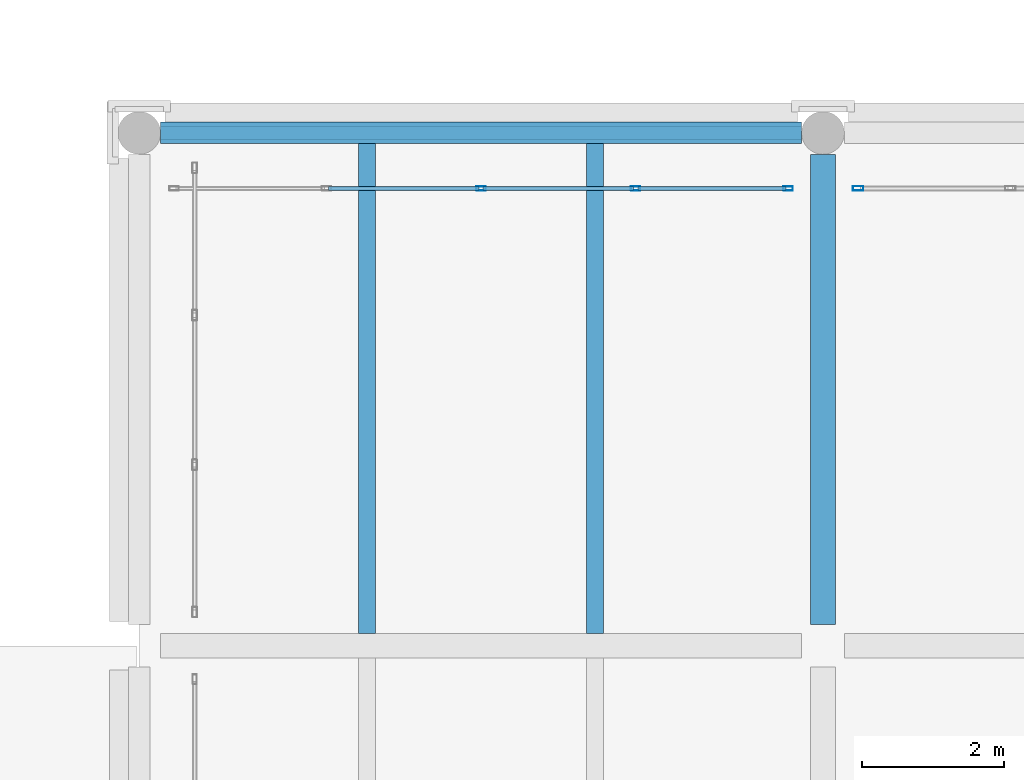
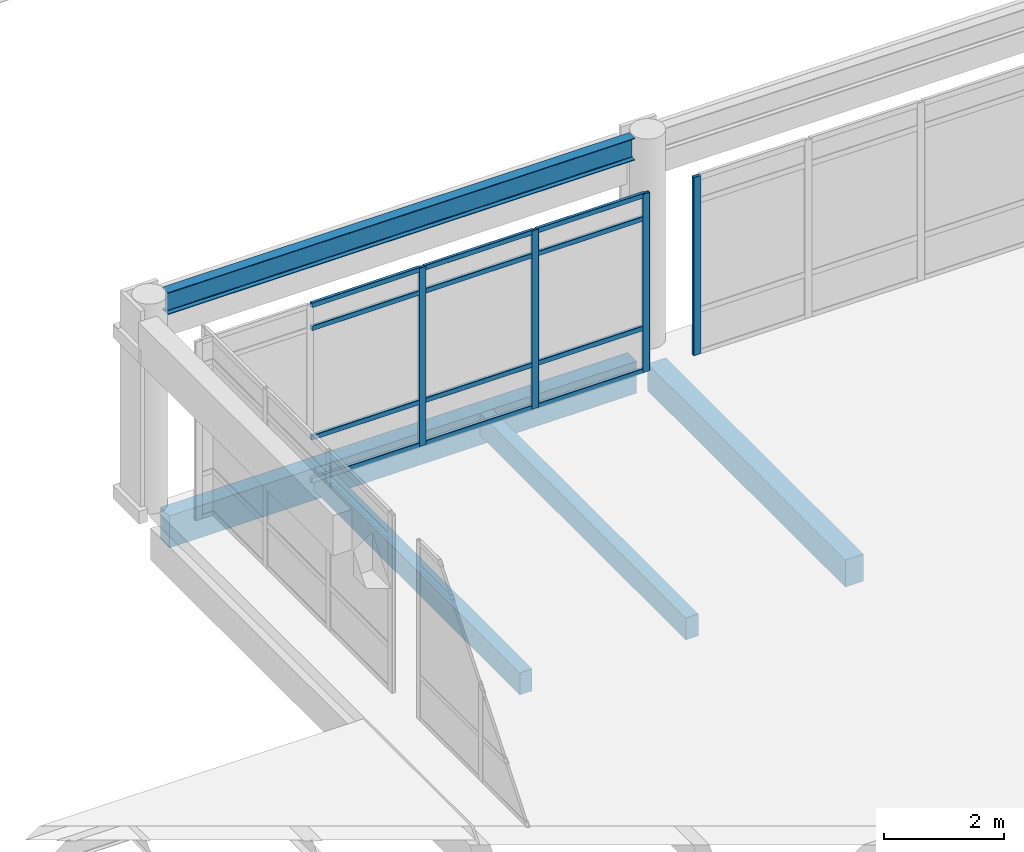
# One storey, part 68 of 180: 16 members, 5 beams, 2 elements without a shape of their own.
"""IFC4 building model written with IfcOpenShell, lengths in metres."""

from ifc_helpers import new_model, si_unit, direction, frame, origin, origin_2d, place, context, subcontext, project, spatial, rectangle, hollow_rectangle, i_section, extrude, material, layer, layer_set, material_profile, profile_set, type_object, element, aggregate, save


model = new_model("IFC4")

# Units and contexts
model_context = context("Model", 3, precision=1e-05, world=origin(), true_north=direction((0.0, 1.0)))
body_context = subcontext(model_context, "Body", "Model", "MODEL_VIEW")
ifc_project = project(units=[si_unit("LENGTHUNIT", "METRE"), si_unit("AREAUNIT", "SQUARE_METRE"), si_unit("VOLUMEUNIT", "CUBIC_METRE"), si_unit("PLANEANGLEUNIT", "RADIAN"), si_unit("MASSUNIT", "GRAM", prefix="KILO")], contexts=[model_context])

# Site, building, storey
site_placement = place(None, origin())
site = spatial("IfcSite", under=ifc_project, at=site_placement, CompositionType="ELEMENT")
building_placement = place(site_placement, origin())
building = spatial("IfcBuilding", under=site, at=building_placement, Name="Asteropetra Specialist Clinic", CompositionType="ELEMENT")
storey_placement = place(building_placement, frame((0.0, 0.0, 4.419921875)))
storey = spatial("IfcBuildingStorey", under=building, at=storey_placement, Name="L01", CompositionType="ELEMENT", Elevation=4.419921875)

# Beams
ifc_material_1 = material(Name="Concrete C35/45", Category="concrete")
ifc_material_profile_1 = material_profile(ifc_material_1, rectangle(XDim=0.35009765625, YDim=0.550048828125, at=origin_2d()), Name="RCB 350x550")
ifc_profile_set_1 = profile_set([ifc_material_profile_1], Name="Concrete C35/45")
beam_type_1 = type_object("IfcBeamType", Name="BM-RC350x550", PredefinedType="BEAM", material=ifc_profile_set_1)
beam_1_placement = place(storey_placement, frame((86.39990234375, 55.5, -0.534912109375), z_axis=(0.0, 1.0, 0.0), x_axis=(-1.0, 0.0, 0.0)))
element("IfcBeam", 1, at=beam_1_placement, inside=storey, type_object=beam_type_1, Name="Beam BBM10-0794", PredefinedType="BEAM", context=body_context, shape_type="SweptSolid", body=[
    extrude(rectangle(XDim=0.35009765625, YDim=0.550048828125, at=origin_2d()), origin(), (0.0, 0.0, 1.0), 6.60009765625),
])
ifc_material_2 = material(Name="Steel S355", Category="steel")
ifc_material_profile_2 = material_profile(ifc_material_2, i_section(OverallWidth=0.18994140625, OverallDepth=0.449951171875, WebThickness=0.009521484375, FlangeThickness=0.0146484375, FilletRadius=0.02099609375, at=origin_2d()), Name="IPE 450")
ifc_profile_set_2 = profile_set([ifc_material_profile_2], Name="Steel S355")
beam_type_2 = type_object("IfcBeamType", Name="BM-STL-IPE450", PredefinedType="BEAM", material=ifc_profile_set_2)
beam_2_placement = place(storey_placement, frame((77.10009765625, 62.39990234375, 4.030029296875), z_axis=(1.0, 0.0, 0.0), x_axis=(0.0, 1.0, 0.0)))
element("IfcBeam", 2, at=beam_2_placement, inside=storey, type_object=beam_type_2, Name="Pavilion Eave Girder EG3-76-62", PredefinedType="BEAM", context=body_context, shape_type="SweptSolid", body=[
    extrude(i_section(OverallWidth=0.18994140625, OverallDepth=0.449951171875, WebThickness=0.009521484375, FlangeThickness=0.0146484375, FilletRadius=0.02099609375, at=origin_2d()), origin(), (0.0, 0.0, 1.0), 9.0),
])

# Curtain wall, members
ifc_material_3 = material(Name="Aluminium and low-E glass", Category="aluminium")
ifc_layer_1 = layer(ifc_material_3, 0.135009765625)
ifc_layer_set_1 = layer_set([ifc_layer_1], Name="Aluminium and low-E glass")
curtain_wall_type_1 = type_object("IfcCurtainWallType", Name="CW-SYS-09", PredefinedType="USERDEFINED", material=ifc_layer_set_1)
curtain_wall_1_placement = place(storey_placement, origin())
curtain_wall_1 = element("IfcCurtainWall", 3, at=curtain_wall_1_placement, inside=storey, type_object=curtain_wall_type_1, Name="Curtain Wall CW-173", ObjectType="STICK GLAZED COLONNADE", PredefinedType="USERDEFINED")
ifc_material_4 = material(Name="Aluminium 6063-T6", Category="aluminium")
ifc_material_profile_3 = material_profile(ifc_material_4, hollow_rectangle(XDim=0.06005859375, YDim=0.135009765625, WallThickness=0.00341796875, InnerFilletRadius=0.00341796875, OuterFilletRadius=0.007080078125, at=origin_2d()), Name="MUL 135x60x3.5")
ifc_profile_set_3 = profile_set([ifc_material_profile_3], Name="Aluminium 6063-T6")
member_type_1 = type_object("IfcMemberType", Name="CWM-135x60", PredefinedType="MULLION", material=ifc_profile_set_3)
member_1_placement = place(storey_placement, frame((85.909912109375, 61.6201171875, 0.0), z_axis=(0.0, 0.0, 1.0), x_axis=(0.0, -1.0, 0.0)))
member_1 = element("IfcMember", 4, at=member_1_placement, type_object=member_type_1, Name="CW-173 mullion 1", PredefinedType="MULLION", context=body_context, shape_type="SweptSolid", body=[
    extrude(hollow_rectangle(XDim=0.06005859375, YDim=0.135009765625, WallThickness=0.00341796875, InnerFilletRadius=0.00341796875, OuterFilletRadius=0.007080078125, at=origin_2d()), origin(), (0.0, 0.0, 1.0), 3.630126953125),
])
member_2_placement = place(storey_placement, frame((83.77001953125, 61.6201171875, 0.0), z_axis=(0.0, 0.0, 1.0), x_axis=(0.0, -1.0, 0.0)))
member_2 = element("IfcMember", 5, at=member_2_placement, type_object=member_type_1, Name="CW-173 mullion 2", PredefinedType="MULLION", context=body_context, shape_type="SweptSolid", body=[
    extrude(hollow_rectangle(XDim=0.06005859375, YDim=0.135009765625, WallThickness=0.00341796875, InnerFilletRadius=0.00341796875, OuterFilletRadius=0.007080078125, at=origin_2d()), origin(), (0.0, 0.0, 1.0), 3.630126953125),
])
member_3_placement = place(storey_placement, frame((81.60009765625, 61.6201171875, 0.0), z_axis=(0.0, 0.0, 1.0), x_axis=(0.0, -1.0, 0.0)))
member_3 = element("IfcMember", 6, at=member_3_placement, type_object=member_type_1, Name="CW-173 mullion 3", PredefinedType="MULLION", context=body_context, shape_type="SweptSolid", body=[
    extrude(hollow_rectangle(XDim=0.06005859375, YDim=0.135009765625, WallThickness=0.00341796875, InnerFilletRadius=0.00341796875, OuterFilletRadius=0.007080078125, at=origin_2d()), origin(), (0.0, 0.0, 1.0), 3.630126953125),
])

# Curtain wall, member
ifc_material_5 = material(Name="Aluminium and low-E glass", Category="aluminium")
ifc_layer_2 = layer(ifc_material_5, 0.14990234375)
ifc_layer_set_2 = layer_set([ifc_layer_2], Name="Aluminium and low-E glass")
curtain_wall_type_2 = type_object("IfcCurtainWallType", Name="CW-SYS-11", PredefinedType="USERDEFINED", material=ifc_layer_set_2)
curtain_wall_2_placement = place(storey_placement, origin())
curtain_wall_2 = element("IfcCurtainWall", 7, at=curtain_wall_2_placement, inside=storey, type_object=curtain_wall_type_2, Name="Curtain Wall CW-175", ObjectType="STICK GLAZED COLONNADE", PredefinedType="USERDEFINED")
ifc_material_6 = material(Name="Aluminium 6063-T6", Category="aluminium")
ifc_material_profile_4 = material_profile(ifc_material_6, hollow_rectangle(XDim=0.06494140625, YDim=0.14990234375, WallThickness=0.00390625, InnerFilletRadius=0.00390625, OuterFilletRadius=0.008056640625, at=origin_2d()), Name="MUL 150x65x4.0")
ifc_profile_set_4 = profile_set([ifc_material_profile_4], Name="Aluminium 6063-T6")
member_type_2 = type_object("IfcMemberType", Name="CWM-150x65", PredefinedType="MULLION", material=ifc_profile_set_4)
member_4_placement = place(storey_placement, frame((86.892578125, 61.6201171875, 0.0), z_axis=(0.0, 0.0, 1.0), x_axis=(0.0, -1.0, 0.0)))
member_4 = element("IfcMember", 8, at=member_4_placement, type_object=member_type_2, Name="CW-175 mullion 5", PredefinedType="MULLION", context=body_context, shape_type="SweptSolid", body=[
    extrude(hollow_rectangle(XDim=0.06494140625, YDim=0.14990234375, WallThickness=0.00390625, InnerFilletRadius=0.00390625, OuterFilletRadius=0.008056640625, at=origin_2d()), origin(), (0.0, 0.0, 1.0), 3.630126953125),
])
aggregate(curtain_wall_2, [member_4])

# Member
ifc_material_7 = material(Name="Aluminium 6063-T6", Category="aluminium")
ifc_material_profile_5 = material_profile(ifc_material_7, hollow_rectangle(XDim=0.06005859375, YDim=0.10009765625, WallThickness=0.00341796875, InnerFilletRadius=0.00341796875, OuterFilletRadius=0.007080078125, at=origin_2d()), Name="TRN 100x60x3.5")
ifc_profile_set_5 = profile_set([ifc_material_profile_5], Name="Aluminium 6063-T6")
member_type_3 = type_object("IfcMemberType", Name="CWT-100x60", PredefinedType="USERDEFINED", material=ifc_profile_set_5)
member_5_placement = place(storey_placement, frame((85.8798828125, 61.6201171875, 0.030029296875), z_axis=(-1.0, 0.0, 0.0), x_axis=(0.0, -1.0, 0.0)))
member_5 = element("IfcMember", 9, at=member_5_placement, type_object=member_type_3, Name="CW-173 transom 1.1", ObjectType="TRANSOM", PredefinedType="USERDEFINED", context=body_context, shape_type="SweptSolid", body=[
    extrude(hollow_rectangle(XDim=0.06005859375, YDim=0.10009765625, WallThickness=0.00341796875, InnerFilletRadius=0.00341796875, OuterFilletRadius=0.007080078125, at=origin_2d()), origin(), (0.0, 0.0, 1.0), 2.079833984375),
])

member_6_placement = place(storey_placement, frame((85.8798828125, 61.6201171875, 0.900146484375), z_axis=(-1.0, 0.0, 0.0), x_axis=(0.0, -1.0, 0.0)))
member_6 = element("IfcMember", 10, at=member_6_placement, type_object=member_type_3, Name="CW-173 transom 1.2", ObjectType="TRANSOM", PredefinedType="USERDEFINED", context=body_context, shape_type="SweptSolid", body=[
    extrude(hollow_rectangle(XDim=0.06005859375, YDim=0.10009765625, WallThickness=0.00341796875, InnerFilletRadius=0.00341796875, OuterFilletRadius=0.007080078125, at=origin_2d()), origin(), (0.0, 0.0, 1.0), 2.079833984375),
])

member_7_placement = place(storey_placement, frame((85.8798828125, 61.6201171875, 3.130126953125), z_axis=(-1.0, 0.0, 0.0), x_axis=(0.0, -1.0, 0.0)))
member_7 = element("IfcMember", 11, at=member_7_placement, type_object=member_type_3, Name="CW-173 transom 1.3", ObjectType="TRANSOM", PredefinedType="USERDEFINED", context=body_context, shape_type="SweptSolid", body=[
    extrude(hollow_rectangle(XDim=0.06005859375, YDim=0.10009765625, WallThickness=0.00341796875, InnerFilletRadius=0.00341796875, OuterFilletRadius=0.007080078125, at=origin_2d()), origin(), (0.0, 0.0, 1.0), 2.079833984375),
])

member_8_placement = place(storey_placement, frame((85.8798828125, 61.6201171875, 3.60009765625), z_axis=(-1.0, 0.0, 0.0), x_axis=(0.0, -1.0, 0.0)))
member_8 = element("IfcMember", 12, at=member_8_placement, type_object=member_type_3, Name="CW-173 transom 1.4", ObjectType="TRANSOM", PredefinedType="USERDEFINED", context=body_context, shape_type="SweptSolid", body=[
    extrude(hollow_rectangle(XDim=0.06005859375, YDim=0.10009765625, WallThickness=0.00341796875, InnerFilletRadius=0.00341796875, OuterFilletRadius=0.007080078125, at=origin_2d()), origin(), (0.0, 0.0, 1.0), 2.079833984375),
])

member_9_placement = place(storey_placement, frame((83.739990234375, 61.6201171875, 0.030029296875), z_axis=(-1.0, 0.0, 0.0), x_axis=(0.0, -1.0, 0.0)))
member_9 = element("IfcMember", 13, at=member_9_placement, type_object=member_type_3, Name="CW-173 transom 2.1", ObjectType="TRANSOM", PredefinedType="USERDEFINED", context=body_context, shape_type="SweptSolid", body=[
    extrude(hollow_rectangle(XDim=0.06005859375, YDim=0.10009765625, WallThickness=0.00341796875, InnerFilletRadius=0.00341796875, OuterFilletRadius=0.007080078125, at=origin_2d()), origin(), (0.0, 0.0, 1.0), 2.110107421875),
])

member_10_placement = place(storey_placement, frame((83.739990234375, 61.6201171875, 0.900146484375), z_axis=(-1.0, 0.0, 0.0), x_axis=(0.0, -1.0, 0.0)))
member_10 = element("IfcMember", 14, at=member_10_placement, type_object=member_type_3, Name="CW-173 transom 2.2", ObjectType="TRANSOM", PredefinedType="USERDEFINED", context=body_context, shape_type="SweptSolid", body=[
    extrude(hollow_rectangle(XDim=0.06005859375, YDim=0.10009765625, WallThickness=0.00341796875, InnerFilletRadius=0.00341796875, OuterFilletRadius=0.007080078125, at=origin_2d()), origin(), (0.0, 0.0, 1.0), 2.110107421875),
])

member_11_placement = place(storey_placement, frame((83.739990234375, 61.6201171875, 3.130126953125), z_axis=(-1.0, 0.0, 0.0), x_axis=(0.0, -1.0, 0.0)))
member_11 = element("IfcMember", 15, at=member_11_placement, type_object=member_type_3, Name="CW-173 transom 2.3", ObjectType="TRANSOM", PredefinedType="USERDEFINED", context=body_context, shape_type="SweptSolid", body=[
    extrude(hollow_rectangle(XDim=0.06005859375, YDim=0.10009765625, WallThickness=0.00341796875, InnerFilletRadius=0.00341796875, OuterFilletRadius=0.007080078125, at=origin_2d()), origin(), (0.0, 0.0, 1.0), 2.110107421875),
])

member_12_placement = place(storey_placement, frame((83.739990234375, 61.6201171875, 3.60009765625), z_axis=(-1.0, 0.0, 0.0), x_axis=(0.0, -1.0, 0.0)))
member_12 = element("IfcMember", 16, at=member_12_placement, type_object=member_type_3, Name="CW-173 transom 2.4", ObjectType="TRANSOM", PredefinedType="USERDEFINED", context=body_context, shape_type="SweptSolid", body=[
    extrude(hollow_rectangle(XDim=0.06005859375, YDim=0.10009765625, WallThickness=0.00341796875, InnerFilletRadius=0.00341796875, OuterFilletRadius=0.007080078125, at=origin_2d()), origin(), (0.0, 0.0, 1.0), 2.110107421875),
])

member_13_placement = place(storey_placement, frame((81.570068359375, 61.6201171875, 0.030029296875), z_axis=(-1.0, 0.0, 0.0), x_axis=(0.0, -1.0, 0.0)))
member_13 = element("IfcMember", 17, at=member_13_placement, type_object=member_type_3, Name="CW-173 transom 3.1", ObjectType="TRANSOM", PredefinedType="USERDEFINED", context=body_context, shape_type="SweptSolid", body=[
    extrude(hollow_rectangle(XDim=0.06005859375, YDim=0.10009765625, WallThickness=0.00341796875, InnerFilletRadius=0.00341796875, OuterFilletRadius=0.007080078125, at=origin_2d()), origin(), (0.0, 0.0, 1.0), 2.110107421875),
])

member_14_placement = place(storey_placement, frame((81.570068359375, 61.6201171875, 0.900146484375), z_axis=(-1.0, 0.0, 0.0), x_axis=(0.0, -1.0, 0.0)))
member_14 = element("IfcMember", 18, at=member_14_placement, type_object=member_type_3, Name="CW-173 transom 3.2", ObjectType="TRANSOM", PredefinedType="USERDEFINED", context=body_context, shape_type="SweptSolid", body=[
    extrude(hollow_rectangle(XDim=0.06005859375, YDim=0.10009765625, WallThickness=0.00341796875, InnerFilletRadius=0.00341796875, OuterFilletRadius=0.007080078125, at=origin_2d()), origin(), (0.0, 0.0, 1.0), 2.110107421875),
])

member_15_placement = place(storey_placement, frame((81.570068359375, 61.6201171875, 3.130126953125), z_axis=(-1.0, 0.0, 0.0), x_axis=(0.0, -1.0, 0.0)))
member_15 = element("IfcMember", 19, at=member_15_placement, type_object=member_type_3, Name="CW-173 transom 3.3", ObjectType="TRANSOM", PredefinedType="USERDEFINED", context=body_context, shape_type="SweptSolid", body=[
    extrude(hollow_rectangle(XDim=0.06005859375, YDim=0.10009765625, WallThickness=0.00341796875, InnerFilletRadius=0.00341796875, OuterFilletRadius=0.007080078125, at=origin_2d()), origin(), (0.0, 0.0, 1.0), 2.110107421875),
])

member_16_placement = place(storey_placement, frame((81.570068359375, 61.6201171875, 3.60009765625), z_axis=(-1.0, 0.0, 0.0), x_axis=(0.0, -1.0, 0.0)))
member_16 = element("IfcMember", 20, at=member_16_placement, type_object=member_type_3, Name="CW-173 transom 3.4", ObjectType="TRANSOM", PredefinedType="USERDEFINED", context=body_context, shape_type="SweptSolid", body=[
    extrude(hollow_rectangle(XDim=0.06005859375, YDim=0.10009765625, WallThickness=0.00341796875, InnerFilletRadius=0.00341796875, OuterFilletRadius=0.007080078125, at=origin_2d()), origin(), (0.0, 0.0, 1.0), 2.110107421875),
])

aggregate(curtain_wall_1, [member_1, member_2, member_3, member_5, member_6, member_7, member_8, member_9, member_10, member_11, member_12, member_13, member_14, member_15, member_16])

# Beams
ifc_material_8 = material(Name="Concrete C35/45", Category="concrete")
ifc_material_profile_6 = material_profile(ifc_material_8, rectangle(XDim=0.239990234375, YDim=0.449951171875, at=origin_2d()), Name="RCJ 240x450")
ifc_profile_set_6 = profile_set([ifc_material_profile_6], Name="Concrete C35/45")
beam_type_3 = type_object("IfcBeamType", Name="JST-RC240x450", PredefinedType="JOIST", material=ifc_profile_set_6)
for number, where, z_axis, x_axis, name in (
    (21, (80.0, 55.375, -0.48486328125), (0.0, 1.0, 0.0), (-1.0, 0.0, 0.0), "Joist JJST03-0796"),
    (22, (83.199951171875, 55.375, -0.48486328125), (0.0, 1.0, 0.0), (-1.0, 0.0, 0.0), "Joist JJST03-0797"),
):
    element("IfcBeam", number, at=place(storey_placement, frame(where, z_axis=z_axis, x_axis=x_axis)), inside=storey, type_object=beam_type_3, Name=name, PredefinedType="JOIST", context=body_context, shape_type="SweptSolid", body=[
        extrude(rectangle(XDim=0.239990234375, YDim=0.449951171875, at=origin_2d()), origin(), (0.0, 0.0, 1.0), 6.875),
    ])
ifc_material_9 = material(Name="Concrete C35/45", Category="concrete")
ifc_material_profile_7 = material_profile(ifc_material_9, rectangle(XDim=0.300048828125, YDim=0.64990234375, at=origin_2d()), Name="RCS 300x650")
ifc_profile_set_7 = profile_set([ifc_material_profile_7], Name="Concrete C35/45")
beam_type_4 = type_object("IfcBeamType", Name="SPN-RC300x650", PredefinedType="SPANDREL", material=ifc_profile_set_7)
beam_3_placement = place(storey_placement, frame((77.10009765625, 62.39990234375, -0.5849609375), z_axis=(1.0, 0.0, 0.0), x_axis=(0.0, 1.0, 0.0)))
element("IfcBeam", 23, at=beam_3_placement, inside=storey, type_object=beam_type_4, Name="Beam BSPN03-0772", PredefinedType="SPANDREL", context=body_context, shape_type="SweptSolid", body=[
    extrude(rectangle(XDim=0.300048828125, YDim=0.64990234375, at=origin_2d()), origin(), (0.0, 0.0, 1.0), 9.0),
])

save(model, "model.ifc")
